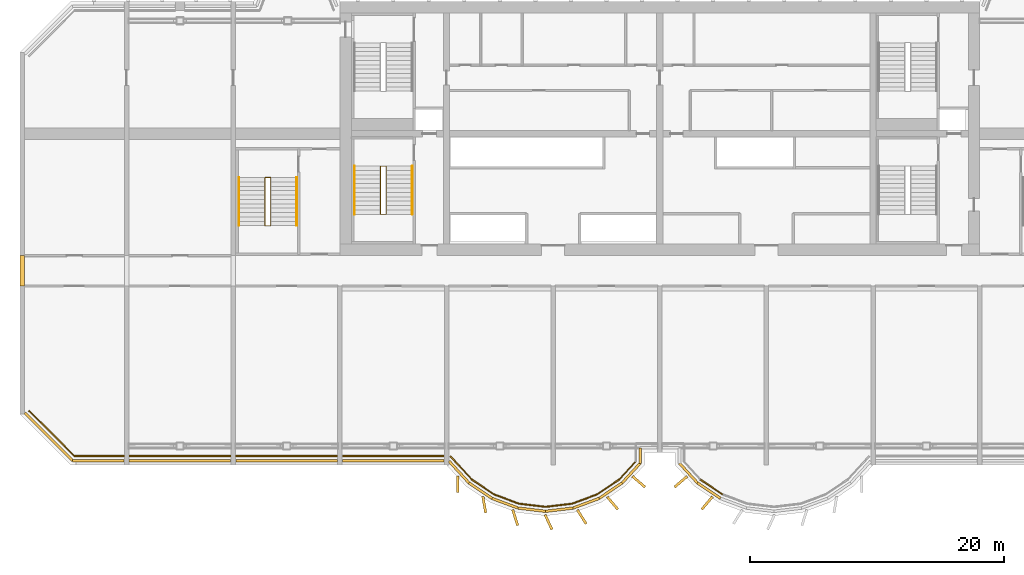
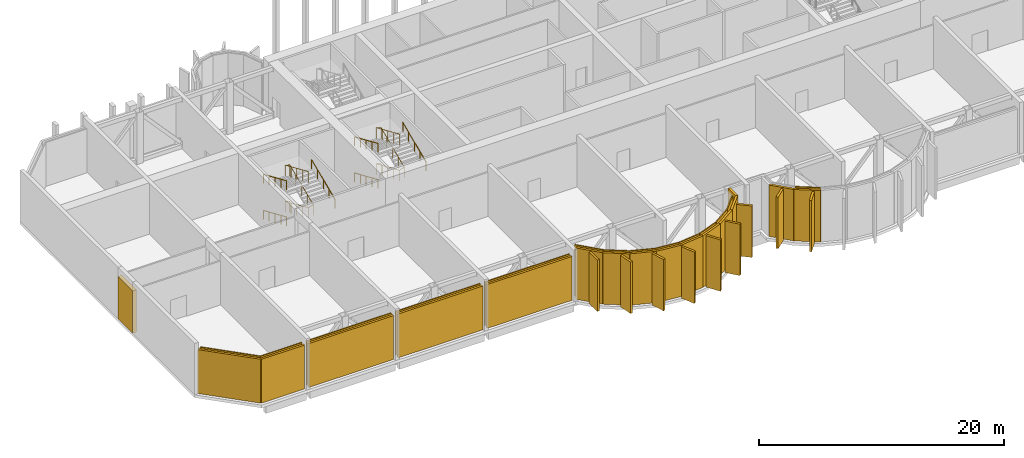
# One storey, part 14 of 17: 23 coverings, 17 shading devices, 8 railings.
"""IFC4 building model written with IfcOpenShell, lengths in metres."""

import ifcopenshell
import ifcopenshell.guid

model = None  # the IFC model being written
_history = None  # IfcOwnerHistory: only IFC2X3 demands one
_inside = {}  # id of a spatial element -> (the spatial element, [elements in it])
_under = {}  # id of a project, library or spatial element -> (it, [spatial elements below it])
_declared = {}  # id of a project -> (the project, [libraries it declares])
_typed = {}  # id of a type object -> (the type object, [elements of that type])
_made_of = {}  # id of a material, layer set ... -> (it, [elements and type objects made of it])


def new_model(schema):
    """Start an empty IFC model of exactly this schema.

    Asked for "IFC4X3", IfcOpenShell would pick the latest addendum, in which some entities
    have other attributes; the version numbers below select the first issue.
    IFC2X3 requires an IfcOwnerHistory on every rooted entity: one is made here for all.
    """
    global model, _history
    if schema == "IFC4X3":
        model = ifcopenshell.file(schema_version=(4, 3, 0, 0))
    else:
        model = ifcopenshell.file(schema=schema)
    _inside.clear()
    _under.clear()
    _declared.clear()
    _typed.clear()
    _made_of.clear()
    _history = None
    if model.schema == "IFC2X3":
        org = make("IfcOrganization", Name="unknown")
        user = make(
            "IfcPersonAndOrganization",
            ThePerson=make("IfcPerson", FamilyName="unknown"),
            TheOrganization=org,
        )
        app = make(
            "IfcApplication",
            ApplicationDeveloper=org,
            Version="unknown",
            ApplicationFullName="unknown",
            ApplicationIdentifier="unknown",
        )
        _history = make(
            "IfcOwnerHistory",
            OwningUser=user,
            OwningApplication=app,
            ChangeAction="ADDED",
            CreationDate=0,
        )
    return model


def make(cls, **values):
    """One entity of the class cls with the attributes given. An attribute that is None is left unset."""
    return model.create_entity(
        cls, **{name: value for name, value in values.items() if value is not None}
    )


def rooted(cls, **values):
    """An entity with a GlobalId (a new one), such as an element, a storey or a relation."""
    return make(cls, GlobalId=ifcopenshell.guid.new(), OwnerHistory=_history, **values)


def si_unit(unit_type, name, prefix=None):
    """IfcSIUnit, for example si_unit("LENGTHUNIT", "METRE", prefix="MILLI")."""
    return make("IfcSIUnit", UnitType=unit_type, Prefix=prefix, Name=name)


def assignment(units):
    """IfcUnitAssignment: the units of a project."""
    return None if units is None else make("IfcUnitAssignment", Units=units)


def point(xyz):
    """IfcCartesianPoint."""
    return None if xyz is None else make("IfcCartesianPoint", Coordinates=xyz)


def direction(xyz):
    """IfcDirection."""
    return None if xyz is None else make("IfcDirection", DirectionRatios=xyz)


def frame(location, z_axis=None, x_axis=None):
    """IfcAxis2Placement3D, a coordinate frame: its origin and axes. An axis left out is left unset."""
    return make(
        "IfcAxis2Placement3D",
        Location=point(location),
        Axis=direction(z_axis),
        RefDirection=direction(x_axis),
    )


def frame_2d(location, x_axis=None):
    """IfcAxis2Placement2D, a coordinate frame in the plane: its origin and x axis."""
    return make(
        "IfcAxis2Placement2D", Location=point(location), RefDirection=direction(x_axis)
    )


def origin():
    """The frame at (0, 0, 0) with its axes left unset."""
    return frame((0.0, 0.0, 0.0))


def origin_2d():
    """The frame at (0, 0) in the plane with its x axis left unset."""
    return frame_2d((0.0, 0.0))


def place(relative_to, where):
    """IfcLocalPlacement: puts the frame where relative to a parent placement (None: the world)."""
    return make(
        "IfcLocalPlacement", PlacementRelTo=relative_to, RelativePlacement=where
    )


def context(
    kind, dimensions, precision=None, world=None, true_north=None, identifier=None
):
    """IfcGeometricRepresentationContext, for example the 3D "Model" context."""
    return make(
        "IfcGeometricRepresentationContext",
        ContextIdentifier=identifier,
        ContextType=kind,
        CoordinateSpaceDimension=dimensions,
        Precision=precision,
        WorldCoordinateSystem=world,
        TrueNorth=true_north,
    )


def subcontext(parent, identifier, kind, view, scale=None):
    """IfcGeometricRepresentationSubContext, for example "Body" below "Model"."""
    return make(
        "IfcGeometricRepresentationSubContext",
        ContextIdentifier=identifier,
        ContextType=kind,
        ParentContext=parent,
        TargetScale=scale,
        TargetView=view,
    )


def project(units=None, contexts=None):
    """IfcProject with its units and contexts."""
    return rooted(
        "IfcProject",
        Name="project",
        RepresentationContexts=contexts,
        UnitsInContext=assignment(units),
    )


def spatial(cls, under=None, at=None, **own):
    """A site, building, storey or space (cls), placed at a placement, below another one or the project."""
    s = rooted(cls, ObjectPlacement=at, **own)
    if under is not None:
        _under.setdefault(under.id(), (under, []))[1].append(s)
    return s


def profile(cls, at=None, kind="AREA", **sizes):
    """A parametric profile (cls). Its sizes go by their IFC names, for example OverallWidth=200.0."""
    return make(cls, ProfileType=kind, Position=at, **sizes)


def rectangle(**sizes):
    """IfcRectangleProfileDef."""
    return profile("IfcRectangleProfileDef", **sizes)


def circle(**sizes):
    """IfcCircleProfileDef."""
    return profile("IfcCircleProfileDef", **sizes)


def extrude(swept, where, along, depth):
    """IfcExtrudedAreaSolid: the profile swept, set in the frame where, extruded along a direction by depth."""
    return make(
        "IfcExtrudedAreaSolid",
        SweptArea=swept,
        Position=where,
        ExtrudedDirection=direction(along),
        Depth=depth,
    )


def shape(context_of_items, identifier, shape_type, items):
    """IfcShapeRepresentation: the items that make up one representation, for example the "Body"."""
    return make(
        "IfcShapeRepresentation",
        ContextOfItems=context_of_items,
        RepresentationIdentifier=identifier,
        RepresentationType=shape_type,
        Items=items,
    )


def source(mapping_origin, context_of_items, identifier, shape_type, items):
    """IfcRepresentationMap: a shape defined once, which mapped items show again and again."""
    return make(
        "IfcRepresentationMap",
        MappingOrigin=mapping_origin,
        MappedRepresentation=shape(context_of_items, identifier, shape_type, items),
    )


def transform(
    local_origin,
    x_axis=None,
    y_axis=None,
    z_axis=None,
    scale=None,
    scale2=None,
    scale3=None,
    uniform=True,
):
    """IfcCartesianTransformationOperator3D, or its non-uniform kind. x_axis, y_axis, z_axis: its Axis1, 2, 3."""
    if uniform:
        return make(
            "IfcCartesianTransformationOperator3D",
            Axis1=direction(x_axis),
            Axis2=direction(y_axis),
            LocalOrigin=point(local_origin),
            Scale=scale,
            Axis3=direction(z_axis),
        )
    return make(
        "IfcCartesianTransformationOperator3DnonUniform",
        Axis1=direction(x_axis),
        Axis2=direction(y_axis),
        LocalOrigin=point(local_origin),
        Scale=scale,
        Axis3=direction(z_axis),
        Scale2=scale2,
        Scale3=scale3,
    )


def mapped(mapping_source, mapping_target):
    """IfcMappedItem: shows the shape of a source again, moved by a transform."""
    return make(
        "IfcMappedItem", MappingSource=mapping_source, MappingTarget=mapping_target
    )


def material(Name=None, Category=None):
    """IfcMaterial."""
    return make("IfcMaterial", Name=Name, Category=Category)


def layer(
    of_material, thickness, ventilated=None, Name=None, Category=None, Priority=None
):
    """IfcMaterialLayer: one layer of a wall or slab, of a material (None: an air gap)."""
    return make(
        "IfcMaterialLayer",
        Material=of_material,
        LayerThickness=thickness,
        IsVentilated=ventilated,
        Name=Name,
        Category=Category,
        Priority=Priority,
    )


def layer_set(layers, Name=None):
    """IfcMaterialLayerSet."""
    return make("IfcMaterialLayerSet", MaterialLayers=layers, LayerSetName=Name)


def material_profile(
    of_material, cross_section, Name=None, Category=None, Priority=None
):
    """IfcMaterialProfile: a cross section and its material."""
    return make(
        "IfcMaterialProfile",
        Name=Name,
        Material=of_material,
        Profile=cross_section,
        Priority=Priority,
        Category=Category,
    )


def profile_set(profiles, Name=None, composite=None):
    """IfcMaterialProfileSet."""
    return make(
        "IfcMaterialProfileSet",
        Name=Name,
        MaterialProfiles=profiles,
        CompositeProfile=composite,
    )


def made_of(thing, what):
    """Note that an element or type object is made of a material, layer set ...; save() writes the relation."""
    if what is not None:
        _made_of.setdefault(what.id(), (what, []))[1].append(thing)
    return thing


def type_object(cls, material=None, **own):
    """A type object (cls), such as IfcWallType, which elements share."""
    return made_of(rooted(cls, **own), material)


def element(
    cls,
    number,
    at=None,
    inside=None,
    cuts=None,
    type_object=None,
    material=None,
    context=None,
    identifier="Body",
    shape_type=None,
    held_by="IfcProductDefinitionShape",
    body=None,
    shapes=None,
    **own,
):
    """One element of the class cls, such as IfcWall. Its Tag is "e" and its number.

    at: its placement. inside: the storey or other place that contains it. cuts: it is an
    opening in that element (IfcRelVoidsElement). A single representation is given by context,
    identifier, shape_type and body (its items); several are given by shapes. held_by: the class
    of the entity that holds the representations. save() writes the other relations.
    """
    e = rooted(cls, Tag="e%d" % number, ObjectPlacement=at, **own)
    if body is not None:
        shapes = [shape(context, identifier, shape_type, body)]
    if shapes is not None:
        e.Representation = make(held_by, Representations=shapes)
    if inside is not None:
        _inside.setdefault(inside.id(), (inside, []))[1].append(e)
    if cuts is not None:
        rooted(
            "IfcRelVoidsElement", RelatingBuildingElement=cuts, RelatedOpeningElement=e
        )
    if type_object is not None:
        _typed.setdefault(type_object.id(), (type_object, []))[1].append(e)
    return made_of(e, material)


def aggregate(whole, parts):
    """IfcRelAggregates: a whole, such as a stair, and the parts it consists of."""
    return rooted("IfcRelAggregates", RelatingObject=whole, RelatedObjects=parts)


def save(model, path):
    """Write the relations noted so far, then the file.

    IfcRelAggregates (storeys below a building ...), IfcRelContainedInSpatialStructure (elements
    in a storey), IfcRelDefinesByType, IfcRelAssociatesMaterial and IfcRelDeclares: one each for
    every whole, place, type object, material and project.
    """
    for whole, parts in _under.values():
        aggregate(whole, parts)
    for where, things in _inside.values():
        rooted(
            "IfcRelContainedInSpatialStructure",
            RelatedElements=things,
            RelatingStructure=where,
        )
    for kind, things in _typed.values():
        rooted("IfcRelDefinesByType", RelatedObjects=things, RelatingType=kind)
    for what, things in _made_of.values():
        rooted("IfcRelAssociatesMaterial", RelatedObjects=things, RelatingMaterial=what)
    for by, libraries in _declared.values():
        rooted("IfcRelDeclares", RelatingContext=by, RelatedDefinitions=libraries)
    model.write(path)


model = new_model("IFC4")

# Units and contexts
model_context = context("Model", 3, precision=1e-05, world=origin(), true_north=direction((0.0, 1.0)))
body_context = subcontext(model_context, "Body", "Model", "MODEL_VIEW")
ifc_project = project(units=[si_unit("LENGTHUNIT", "METRE"), si_unit("AREAUNIT", "SQUARE_METRE"), si_unit("VOLUMEUNIT", "CUBIC_METRE"), si_unit("PLANEANGLEUNIT", "RADIAN"), si_unit("MASSUNIT", "GRAM", prefix="KILO")], contexts=[model_context])

# Site, building, storey
site_placement = place(None, origin())
site = spatial("IfcSite", under=ifc_project, at=site_placement, CompositionType="ELEMENT")
building_placement = place(site_placement, origin())
building = spatial("IfcBuilding", under=site, at=building_placement, Name="Vanashikhar Sky Hotel", CompositionType="ELEMENT")
storey_placement = place(building_placement, frame((0.0, 0.0, 140.800048828125)))
storey = spatial("IfcBuildingStorey", under=building, at=storey_placement, Name="L34", CompositionType="ELEMENT", Elevation=140.800048828125)

# Shading devices
ifc_material_1 = material(Name="Aluminium", Category="aluminium")
ifc_layer_1 = layer(ifc_material_1, 0.199951171875)
ifc_layer_set_1 = layer_set([ifc_layer_1], Name="Aluminium louvre band")
shading_device_type = type_object("IfcShadingDeviceType", Name="Aluminium louvre band", PredefinedType="USERDEFINED", material=ifc_layer_set_1)
shared_shape_1 = source(origin(), body_context, "Body", "SweptSolid", [
    extrude(rectangle(XDim=2.1875, YDim=0.199951171875, at=origin_2d()), origin(), (0.0, 0.0, 1.0), 5.1201171875),
])
for number, where, z_axis, x_axis, name in (
    (1, (36.2705078125, 3.482421875, 0.0), (0.0, 0.0, 1.0), (0.829583722896, -0.558382348132, 0.0), "Louvre band"),
    (2, (38.203125, 2.4912109375, 0.0), (0.0, 0.0, 1.0), (0.937537254303, -0.347884890149, 0.0), "Louvre band"),
    (3, (44.5966796875, 2.4912109375, 0.0), (0.0, 0.0, 1.0), (0.937537254303, 0.347884890149, 0.0), "Louvre band"),
    (4, (46.529541015625, 3.482421875, 0.0), (0.0, 0.0, 1.0), (0.829583722896, 0.558382348132, 0.0), "Louvre band"),
    (5, (54.2705078125, 3.482421875, 0.0), (0.0, 0.0, 1.0), (0.829583722896, -0.558382348132, 0.0), "Louvre band"),
):
    element("IfcShadingDevice", number, at=place(storey_placement, frame(where, z_axis=z_axis, x_axis=x_axis)), inside=storey, type_object=shading_device_type, Name=name, ObjectType="LOUVRE", PredefinedType="USERDEFINED", context=body_context, shape_type="MappedRepresentation", body=[
        mapped(shared_shape_1, transform((0.0, 0.0, 0.0), scale=1.0)),
    ])
shared_shape_2 = source(origin(), body_context, "Body", "SweptSolid", [
    extrude(rectangle(XDim=2.1865234375, YDim=0.199951171875, at=origin_2d()), origin(), (0.0, 0.0, 1.0), 5.1201171875),
])
for number, where, z_axis, x_axis, name in (
    (6, (40.314453125, 1.9814453125, 0.0), (0.0, 0.0, 1.0), (0.993008838731, -0.118040019495, 0.0), "Louvre band"),
    (7, (42.485595703125, 1.9814453125, 0.0), (0.0, 0.0, 1.0), (0.993008838731, 0.118040019495, 0.0), "Louvre band"),
):
    element("IfcShadingDevice", number, at=place(storey_placement, frame(where, z_axis=z_axis, x_axis=x_axis)), inside=storey, type_object=shading_device_type, Name=name, ObjectType="LOUVRE", PredefinedType="USERDEFINED", context=body_context, shape_type="MappedRepresentation", body=[
        mapped(shared_shape_2, transform((0.0, 0.0, 0.0), scale=1.0)),
    ])
shared_shape_3 = source(origin(), body_context, "Body", "SweptSolid", [
    extrude(rectangle(XDim=2.09228515625, YDim=0.199951171875, at=origin_2d()), origin(), (0.0, 0.0, 1.0), 5.1201171875),
])
for number, where, z_axis, x_axis, name in (
    (8, (48.1435546875, 4.864501953125, 0.0), (0.0, 0.0, 1.0), (0.675384294604, 0.737465968437, 0.0), "Louvre band"),
    (9, (52.656494140625, 4.864501953125, 0.0), (0.0, 0.0, 1.0), (0.675384294604, -0.737465968437, 0.0), "Louvre band"),
):
    element("IfcShadingDevice", number, at=place(storey_placement, frame(where, z_axis=z_axis, x_axis=x_axis)), inside=storey, type_object=shading_device_type, Name=name, ObjectType="LOUVRE", PredefinedType="USERDEFINED", context=body_context, shape_type="MappedRepresentation", body=[
        mapped(shared_shape_3, transform((0.0, 0.0, 0.0), scale=1.0)),
    ])
shared_shape_4 = source(origin(), body_context, "Body", "SweptSolid", [
    extrude(rectangle(XDim=1.214111328125, YDim=0.199951171875, at=origin_2d()), origin(), (0.0, 0.0, 1.0), 5.1201171875),
])
shading_device_1_placement = place(storey_placement, frame((48.85009765625, 6.242919921875, 0.0), z_axis=(0.0, 0.0, 1.0), x_axis=(0.0, 1.0, 0.0)))
element("IfcShadingDevice", 10, at=shading_device_1_placement, inside=storey, type_object=shading_device_type, Name="Louvre band", ObjectType="LOUVRE", PredefinedType="USERDEFINED", context=body_context, shape_type="MappedRepresentation", body=[
    mapped(shared_shape_4, transform((0.0, 0.0, 0.0), scale=1.0)),
])

# Coverings
ifc_material_2 = material(Name="Concrete M40", Category="concrete")
ifc_layer_2 = layer(ifc_material_2, 0.10009765625)
ifc_layer_set_2 = layer_set([ifc_layer_2], Name="Plant floor cladding panel")
covering_type_1 = type_object("IfcCoveringType", Name="Plant floor cladding panel", PredefinedType="CLADDING", material=ifc_layer_set_2)
shared_shape_5 = source(origin(), body_context, "Body", "SweptSolid", [
    extrude(rectangle(XDim=2.49462890625, YDim=0.10009765625, at=origin_2d()), origin(), (0.0, 0.0, 1.0), 5.1201171875),
])
covering_1_placement = place(storey_placement, frame((34.75048828125, 5.280029296875, 0.0), z_axis=(0.0, 0.0, 1.0), x_axis=(0.675384294604, -0.737465968437, 0.0)))
element("IfcCovering", 11, at=covering_1_placement, inside=storey, type_object=covering_type_1, Name="Plant floor cladding panel", PredefinedType="CLADDING", context=body_context, shape_type="MappedRepresentation", body=[
    mapped(shared_shape_5, transform((0.0, 0.0, 0.0), scale=1.0)),
])
shared_shape_6 = source(origin(), body_context, "Body", "SweptSolid", [
    extrude(rectangle(XDim=2.104248046875, YDim=0.10009765625, at=origin_2d()), origin(), (0.0, 0.0, 1.0), 5.1201171875),
])
for number, where, z_axis, x_axis, name in (
    (12, (36.4658203125, 3.772705078125, 0.0), (0.0, 0.0, 1.0), (0.829603213612, -0.558353389857, 0.0), "Plant floor cladding panel"),
    (13, (46.334228515625, 3.772705078125, 0.0), (0.0, 0.0, 1.0), (0.829603213612, 0.558353389857, 0.0), "Plant floor cladding panel"),
    (14, (54.4658203125, 3.772705078125, 0.0), (0.0, 0.0, 1.0), (0.829603213612, -0.558353389857, 0.0), "Plant floor cladding panel"),
):
    element("IfcCovering", number, at=place(storey_placement, frame(where, z_axis=z_axis, x_axis=x_axis)), inside=storey, type_object=covering_type_1, Name=name, PredefinedType="CLADDING", context=body_context, shape_type="MappedRepresentation", body=[
        mapped(shared_shape_6, transform((0.0, 0.0, 0.0), scale=1.0)),
    ])
shared_shape_7 = source(origin(), body_context, "Body", "SweptSolid", [
    extrude(rectangle(XDim=2.10400390625, YDim=0.10009765625, at=origin_2d()), origin(), (0.0, 0.0, 1.0), 5.1201171875),
])
for number, where, z_axis, x_axis, name in (
    (15, (38.3251953125, 2.8193359375, 0.0), (0.0, 0.0, 1.0), (0.937537254303, -0.347884890149, 0.0), "Plant floor cladding panel"),
    (16, (44.474853515625, 2.8193359375, 0.0), (0.0, 0.0, 1.0), (0.937537254303, 0.347884890149, 0.0), "Plant floor cladding panel"),
):
    element("IfcCovering", number, at=place(storey_placement, frame(where, z_axis=z_axis, x_axis=x_axis)), inside=storey, type_object=covering_type_1, Name=name, PredefinedType="CLADDING", context=body_context, shape_type="MappedRepresentation", body=[
        mapped(shared_shape_7, transform((0.0, 0.0, 0.0), scale=1.0)),
    ])
shared_shape_8 = source(origin(), body_context, "Body", "SweptSolid", [
    extrude(rectangle(XDim=2.103271484375, YDim=0.10009765625, at=origin_2d()), origin(), (0.0, 0.0, 1.0), 5.1201171875),
])
for number, where, z_axis, x_axis, name in (
    (17, (40.355712890625, 2.3291015625, 0.0), (0.0, 0.0, 1.0), (0.993002656809, -0.118092013154, 0.0), "Plant floor cladding panel"),
    (18, (42.4443359375, 2.3291015625, 0.0), (0.0, 0.0, 1.0), (0.993002656809, 0.118092013154, 0.0), "Plant floor cladding panel"),
):
    element("IfcCovering", number, at=place(storey_placement, frame(where, z_axis=z_axis, x_axis=x_axis)), inside=storey, type_object=covering_type_1, Name=name, PredefinedType="CLADDING", context=body_context, shape_type="MappedRepresentation", body=[
        mapped(shared_shape_8, transform((0.0, 0.0, 0.0), scale=1.0)),
    ])
shared_shape_9 = source(origin(), body_context, "Body", "SweptSolid", [
    extrude(rectangle(XDim=1.91455078125, YDim=0.10009765625, at=origin_2d()), origin(), (0.0, 0.0, 1.0), 5.1201171875),
])
covering_2_placement = place(storey_placement, frame((47.853515625, 5.066162109375, 0.0), z_axis=(0.0, 0.0, 1.0), x_axis=(0.675371423292, 0.737477756004, 0.0)))
element("IfcCovering", 19, at=covering_2_placement, inside=storey, type_object=covering_type_1, Name="Plant floor cladding panel", PredefinedType="CLADDING", context=body_context, shape_type="MappedRepresentation", body=[
    mapped(shared_shape_9, transform((0.0, 0.0, 0.0), scale=1.0)),
])
shared_shape_10 = source(origin(), body_context, "Body", "SweptSolid", [
    extrude(rectangle(XDim=5.076904296875, YDim=0.10009765625, at=origin_2d()), origin(), (0.0, 0.0, 1.0), 4.3701171875),
])
covering_3_placement = place(storey_placement, frame((2.4951171875, 7.994873046875, 0.0), z_axis=(0.0, 0.0, 1.0), x_axis=(0.707106781187, -0.707106781187, 0.0)))
element("IfcCovering", 20, at=covering_3_placement, inside=storey, type_object=covering_type_1, Name="Plant floor cladding panel", PredefinedType="CLADDING", context=body_context, shape_type="MappedRepresentation", body=[
    mapped(shared_shape_10, transform((0.0, 0.0, 0.0), scale=1.0)),
])

# Shading devices
shared_shape_11 = source(origin(), body_context, "Body", "SweptSolid", [
    extrude(rectangle(XDim=4.050048828125, YDim=0.199951171875, at=origin_2d()), origin(), (0.0, 0.0, 1.0), 4.3701171875),
])
shading_device_2_placement = place(storey_placement, frame((6.169921875, 5.85009765625, 0.0), z_axis=(0.0, 0.0, 1.0), x_axis=(1.0, 0.0, 0.0)))
element("IfcShadingDevice", 21, at=shading_device_2_placement, inside=storey, type_object=shading_device_type, Name="Louvre band", ObjectType="LOUVRE", PredefinedType="USERDEFINED", context=body_context, shape_type="MappedRepresentation", body=[
    mapped(shared_shape_11, transform((0.0, 0.0, 0.0), scale=1.0)),
])
shared_shape_12 = source(origin(), body_context, "Body", "SweptSolid", [
    extrude(rectangle(XDim=7.989990234375, YDim=0.199951171875, at=origin_2d()), origin(), (0.0, 0.0, 1.0), 4.3701171875),
])
for number, where, z_axis, x_axis, name in (
    (22, (12.60009765625, 5.85009765625, 0.0), (0.0, 0.0, 1.0), (1.0, 0.0, 0.0), "Louvre band"),
    (23, (21.0, 5.85009765625, 0.0), (0.0, 0.0, 1.0), (1.0, 0.0, 0.0), "Louvre band"),
    (24, (29.39990234375, 5.85009765625, 0.0), (0.0, 0.0, 1.0), (1.0, 0.0, 0.0), "Louvre band"),
):
    element("IfcShadingDevice", number, at=place(storey_placement, frame(where, z_axis=z_axis, x_axis=x_axis)), inside=storey, type_object=shading_device_type, Name=name, ObjectType="LOUVRE", PredefinedType="USERDEFINED", context=body_context, shape_type="MappedRepresentation", body=[
        mapped(shared_shape_12, transform((0.0, 0.0, 0.0), scale=1.0)),
    ])
shared_shape_13 = source(origin(), body_context, "Body", "SweptSolid", [
    extrude(rectangle(XDim=2.306884765625, YDim=0.199951171875, at=origin_2d()), origin(), (0.0, 0.0, 1.0), 5.1201171875),
])
shading_device_3_placement = place(storey_placement, frame((34.583984375, 4.94384765625, 0.0), z_axis=(0.0, 0.0, 1.0), x_axis=(0.675358551774, -0.737489543347, 0.0)))
element("IfcShadingDevice", 25, at=shading_device_3_placement, inside=storey, type_object=shading_device_type, Name="Louvre band", ObjectType="LOUVRE", PredefinedType="USERDEFINED", context=body_context, shape_type="MappedRepresentation", body=[
    mapped(shared_shape_13, transform((0.0, 0.0, 0.0), scale=1.0)),
])
shared_shape_14 = source(origin(), body_context, "Body", "SweptSolid", [
    extrude(rectangle(XDim=5.324462890625, YDim=0.199951171875, at=origin_2d()), origin(), (0.0, 0.0, 1.0), 4.3701171875),
])
shading_device_4_placement = place(storey_placement, frame((2.262451171875, 7.732421875, 0.0), z_axis=(0.0, 0.0, 1.0), x_axis=(0.707106781187, -0.707106781187, 0.0)))
element("IfcShadingDevice", 26, at=shading_device_4_placement, inside=storey, type_object=shading_device_type, Name="Louvre band", ObjectType="LOUVRE", PredefinedType="USERDEFINED", context=body_context, shape_type="MappedRepresentation", body=[
    mapped(shared_shape_14, transform((0.0, 0.0, 0.0), scale=1.0)),
])

# Coverings
shared_shape_15 = source(origin(), body_context, "Body", "SweptSolid", [
    extrude(rectangle(XDim=3.905029296875, YDim=0.10009765625, at=origin_2d()), origin(), (0.0, 0.0, 1.0), 4.3701171875),
])
covering_4_placement = place(storey_placement, frame((6.242431640625, 6.199951171875, 0.0), z_axis=(0.0, 0.0, 1.0), x_axis=(1.0, 0.0, 0.0)))
element("IfcCovering", 27, at=covering_4_placement, inside=storey, type_object=covering_type_1, Name="Plant floor cladding panel", PredefinedType="CLADDING", context=body_context, shape_type="MappedRepresentation", body=[
    mapped(shared_shape_15, transform((0.0, 0.0, 0.0), scale=1.0)),
])
shared_shape_16 = source(origin(), body_context, "Body", "SweptSolid", [
    extrude(rectangle(XDim=7.989990234375, YDim=0.10009765625, at=origin_2d()), origin(), (0.0, 0.0, 1.0), 4.3701171875),
])
for number, where, z_axis, x_axis, name in (
    (28, (12.60009765625, 6.199951171875, 0.0), (0.0, 0.0, 1.0), (1.0, 0.0, 0.0), "Plant floor cladding panel"),
    (29, (21.0, 6.199951171875, 0.0), (0.0, 0.0, 1.0), (1.0, 0.0, 0.0), "Plant floor cladding panel"),
    (30, (29.39990234375, 6.199951171875, 0.0), (0.0, 0.0, 1.0), (1.0, 0.0, 0.0), "Plant floor cladding panel"),
):
    element("IfcCovering", number, at=place(storey_placement, frame(where, z_axis=z_axis, x_axis=x_axis)), inside=storey, type_object=covering_type_1, Name=name, PredefinedType="CLADDING", context=body_context, shape_type="MappedRepresentation", body=[
        mapped(shared_shape_16, transform((0.0, 0.0, 0.0), scale=1.0)),
    ])

# Shading device
shared_shape_17 = source(origin(), body_context, "Body", "SweptSolid", [
    extrude(rectangle(XDim=0.35009765625, YDim=2.39990234375, at=origin_2d()), origin(), (0.0, 0.0, 1.0), 4.219970703125),
])
shading_device_5_placement = place(storey_placement, frame((0.175048828125, 20.800048828125, 0.0), z_axis=(0.0, 0.0, 1.0), x_axis=(1.0, 0.0, 0.0)))
element("IfcShadingDevice", 31, at=shading_device_5_placement, inside=storey, type_object=shading_device_type, Name="Louvre band", ObjectType="LOUVRE", PredefinedType="USERDEFINED", context=body_context, shape_type="MappedRepresentation", body=[
    mapped(shared_shape_17, transform((0.0, 0.0, 0.0), scale=1.0)),
])

# Coverings
ifc_material_3 = material(Name="Concrete M60 dark", Category="concrete")
ifc_material_profile = material_profile(ifc_material_3, rectangle(XDim=1.300048828125, YDim=0.199951171875, at=origin_2d()))
ifc_profile_set = profile_set([ifc_material_profile], Name="Fin 1300 x 200")
covering_type_2 = type_object("IfcCoveringType", Name="Fin 1300 x 200", PredefinedType="CLADDING", material=ifc_profile_set)
shared_shape_18 = source(origin(), body_context, "Body", "SweptSolid", [
    extrude(rectangle(XDim=1.300048828125, YDim=0.199951171875, at=origin_2d()), origin(), (0.0, 0.0, 1.0), 5.119873046875),
])
for number, where, z_axis, x_axis, name in (
    (32, (34.482421875, 3.992919921875, 0.0), (0.0, 0.0, 1.0), (0.011588726826, -0.999932848451, 0.0), "Fin F1-1"),
    (33, (36.572509765625, 2.3779296875, 0.0), (0.0, 0.0, 1.0), (0.16989991575, -0.985461322746, 0.0), "Fin F1-2"),
    (34, (39.00830078125, 1.35693359375, 0.0), (0.0, 0.0, 1.0), (0.303966551867, -0.952682704444, 0.0), "Fin F1-3"),
    (35, (41.63232421875, 1.00146484375, 0.0), (0.0, 0.0, 1.0), (0.422618261741, -0.906307787037, 0.0), "Fin F1-4"),
    (36, (44.251953125, 1.416015625, 0.0), (0.0, 0.0, 1.0), (0.534411358496, -0.845224526331, 0.0), "Fin F1-5"),
    (37, (46.676025390625, 2.5, 0.0), (0.0, 0.0, 1.0), (0.645697609467, -0.763593214433, 0.0), "Fin F1-6"),
    (38, (48.7412109375, 4.1845703125, 0.0), (0.0, 0.0, 1.0), (0.758543912032, -0.65162192529, 0.0), "Fin F1-7"),
    (39, (52.058837890625, 4.1845703125, 0.0), (0.0, 0.0, 1.0), (-0.758543912032, -0.65162192529, 0.0), "Fin F2-1"),
    (40, (54.123779296875, 2.5, 0.0), (0.0, 0.0, 1.0), (-0.645697609467, -0.763593214433, 0.0), "Fin F2-2"),
):
    element("IfcCovering", number, at=place(storey_placement, frame(where, z_axis=z_axis, x_axis=x_axis)), inside=storey, type_object=covering_type_2, Name=name, PredefinedType="CLADDING", context=body_context, shape_type="MappedRepresentation", body=[
        mapped(shared_shape_18, transform((0.0, 0.0, 0.0), scale=1.0)),
    ])

# Railings
ifc_material_4 = material(Name="Steel S355", Category="steel")
railing_type_1 = type_object("IfcRailingType", Name="Stair handrail 900", PredefinedType="HANDRAIL", material=ifc_material_4)
shared_shape_19 = source(origin(), body_context, "Body", "SweptSolid", [
    extrude(circle(Radius=0.02392578125, at=origin_2d()), frame((0.0, 0.0, 0.8759765625), z_axis=(0.0, -0.917250781605, 0.398310185215), x_axis=(1.0, 0.0, 0.0)), (0.0, 0.0, 1.0), 4.142822265625),
    extrude(circle(Radius=0.02099609375, at=origin_2d()), origin(), (0.0, 0.0, 1.0), 0.851806640625),
    extrude(circle(Radius=0.02099609375, at=origin_2d()), frame((0.0, -0.949951171875, 0.41259765625)), (0.0, 0.0, 1.0), 0.851806640625),
    extrude(circle(Radius=0.02099609375, at=origin_2d()), frame((0.0, -1.89990234375, 0.8251953125)), (0.0, 0.0, 1.0), 0.851806640625),
    extrude(circle(Radius=0.02099609375, at=origin_2d()), frame((0.0, -2.85009765625, 1.237548828125)), (0.0, 0.0, 1.0), 0.851806640625),
    extrude(circle(Radius=0.02099609375, at=origin_2d()), frame((0.0, -3.800048828125, 1.650146484375)), (0.0, 0.0, 1.0), 0.851806640625),
])
railing_1_placement = place(storey_placement, frame((26.35009765625, 29.050048828125, 0.14990234375)))
element("IfcRailing", 41, at=railing_1_placement, inside=storey, type_object=railing_type_1, Name="Exit stair 1 handrail", PredefinedType="HANDRAIL", context=body_context, shape_type="MappedRepresentation", body=[
    mapped(shared_shape_19, transform((0.0, 0.0, 0.0), scale=1.0)),
])
shared_shape_20 = source(origin(), body_context, "Body", "SweptSolid", [
    extrude(circle(Radius=0.02392578125, at=origin_2d()), frame((0.0, 0.0, 0.8759765625), z_axis=(0.0, -0.91727231099, 0.398260602484), x_axis=(1.0, 0.0, 0.0)), (0.0, 0.0, 1.0), 4.142822265625),
    extrude(circle(Radius=0.02099609375, at=origin_2d()), origin(), (0.0, 0.0, 1.0), 0.851806640625),
    extrude(circle(Radius=0.02099609375, at=origin_2d()), frame((0.0, -0.949951171875, 0.41259765625)), (0.0, 0.0, 1.0), 0.851806640625),
    extrude(circle(Radius=0.02099609375, at=origin_2d()), frame((0.0, -1.89990234375, 0.824951171875)), (0.0, 0.0, 1.0), 0.851806640625),
    extrude(circle(Radius=0.02099609375, at=origin_2d()), frame((0.0, -2.85009765625, 1.2373046875)), (0.0, 0.0, 1.0), 0.851806640625),
    extrude(circle(Radius=0.02099609375, at=origin_2d()), frame((0.0, -3.800048828125, 1.64990234375)), (0.0, 0.0, 1.0), 0.851806640625),
])
railing_2_placement = place(storey_placement, frame((26.35009765625, 29.050048828125, 3.75)))
element("IfcRailing", 42, at=railing_2_placement, inside=storey, type_object=railing_type_1, Name="Exit stair 1 handrail", PredefinedType="HANDRAIL", context=body_context, shape_type="MappedRepresentation", body=[
    mapped(shared_shape_20, transform((0.0, 0.0, 0.0), scale=1.0)),
])
shared_shape_21 = source(origin(), body_context, "Body", "SweptSolid", [
    extrude(circle(Radius=0.02392578125, at=origin_2d()), frame((0.0, 0.0, 0.8759765625), z_axis=(0.0, 0.91727231099, 0.398260602484), x_axis=(-1.0, 0.0, 0.0)), (0.0, 0.0, 1.0), 4.142822265625),
    extrude(circle(Radius=0.02099609375, at=origin_2d()), origin(), (0.0, 0.0, 1.0), 0.851806640625),
    extrude(circle(Radius=0.02099609375, at=origin_2d()), frame((0.0, 0.949951171875, 0.41259765625)), (0.0, 0.0, 1.0), 0.851806640625),
    extrude(circle(Radius=0.02099609375, at=origin_2d()), frame((0.0, 1.89990234375, 0.824951171875)), (0.0, 0.0, 1.0), 0.851806640625),
    extrude(circle(Radius=0.02099609375, at=origin_2d()), frame((0.0, 2.85009765625, 1.2373046875)), (0.0, 0.0, 1.0), 0.851806640625),
    extrude(circle(Radius=0.02099609375, at=origin_2d()), frame((0.0, 3.800048828125, 1.64990234375)), (0.0, 0.0, 1.0), 0.851806640625),
])
railing_3_placement = place(storey_placement, frame((30.89990234375, 25.25, 1.949951171875)))
element("IfcRailing", 43, at=railing_3_placement, inside=storey, type_object=railing_type_1, Name="Exit stair 1 handrail", PredefinedType="HANDRAIL", context=body_context, shape_type="MappedRepresentation", body=[
    mapped(shared_shape_21, transform((0.0, 0.0, 0.0), scale=1.0)),
])
railing_type_2 = type_object("IfcRailingType", Name="Stair guard 1100", PredefinedType="GUARDRAIL", material=ifc_material_4)
shared_shape_22 = source(origin(), body_context, "Body", "SweptSolid", [
    extrude(circle(Radius=0.02392578125, at=origin_2d()), frame((0.0, 0.0, 1.076171875), z_axis=(-0.948786153043, 0.0, 0.315919033605), x_axis=(0.0, -1.0, 0.0)), (0.0, 0.0, 1.0), 0.474609375),
    extrude(circle(Radius=0.02392578125, at=origin_2d()), frame((-0.4501953125, 0.0, 1.22607421875), z_axis=(0.0, -0.917250781605, 0.398310185215), x_axis=(1.0, 0.0, 0.0)), (0.0, 0.0, 1.0), 4.142822265625),
    extrude(circle(Radius=0.02392578125, at=origin_2d()), frame((-0.4501953125, -3.800048828125, 2.8759765625), z_axis=(0.948786153043, 0.0, 0.315919033605), x_axis=(0.0, 1.0, 0.0)), (0.0, 0.0, 1.0), 0.474609375),
    extrude(circle(Radius=0.02392578125, at=origin_2d()), frame((0.0, -3.800048828125, 3.02587890625), z_axis=(0.0, 0.91727231099, 0.398260602484), x_axis=(-1.0, 0.0, 0.0)), (0.0, 0.0, 1.0), 4.142822265625),
    extrude(circle(Radius=0.02392578125, at=origin_2d()), frame((0.0, 0.0, 4.67578125), z_axis=(-0.948631841254, 0.0, 0.316382094561), x_axis=(0.0, -1.0, 0.0)), (0.0, 0.0, 1.0), 0.474609375),
    extrude(circle(Radius=0.02392578125, at=origin_2d()), frame((-0.4501953125, 0.0, 4.826171875), z_axis=(0.0, -0.91727231099, 0.398260602484), x_axis=(1.0, 0.0, 0.0)), (0.0, 0.0, 1.0), 4.142822265625),
    extrude(circle(Radius=0.02099609375, at=origin_2d()), origin(), (0.0, 0.0, 1.0), 1.052001953125),
    extrude(circle(Radius=0.02099609375, at=origin_2d()), frame((-0.4501953125, 0.0, 0.14990234375)), (0.0, 0.0, 1.0), 1.052001953125),
    extrude(circle(Radius=0.02099609375, at=origin_2d()), frame((-0.4501953125, -0.949951171875, 0.5625)), (0.0, 0.0, 1.0), 1.052001953125),
    extrude(circle(Radius=0.02099609375, at=origin_2d()), frame((-0.4501953125, -1.89990234375, 0.97509765625)), (0.0, 0.0, 1.0), 1.052001953125),
    extrude(circle(Radius=0.02099609375, at=origin_2d()), frame((-0.4501953125, -2.85009765625, 1.387451171875)), (0.0, 0.0, 1.0), 1.052001953125),
    extrude(circle(Radius=0.02099609375, at=origin_2d()), frame((-0.4501953125, -3.800048828125, 1.800048828125)), (0.0, 0.0, 1.0), 1.052001953125),
    extrude(circle(Radius=0.02099609375, at=origin_2d()), frame((0.0, -3.800048828125, 1.949951171875)), (0.0, 0.0, 1.0), 1.052001953125),
    extrude(circle(Radius=0.02099609375, at=origin_2d()), frame((0.0, -2.85009765625, 2.3623046875)), (0.0, 0.0, 1.0), 1.052001953125),
    extrude(circle(Radius=0.02099609375, at=origin_2d()), frame((0.0, -1.89990234375, 2.77490234375)), (0.0, 0.0, 1.0), 1.052001953125),
    extrude(circle(Radius=0.02099609375, at=origin_2d()), frame((0.0, -0.949951171875, 3.1875)), (0.0, 0.0, 1.0), 1.052001953125),
    extrude(circle(Radius=0.02099609375, at=origin_2d()), frame((0.0, 0.0, 3.599853515625)), (0.0, 0.0, 1.0), 1.052001953125),
    extrude(circle(Radius=0.02099609375, at=origin_2d()), frame((-0.4501953125, 0.0, 3.75)), (0.0, 0.0, 1.0), 1.052001953125),
    extrude(circle(Radius=0.02099609375, at=origin_2d()), frame((-0.4501953125, -0.949951171875, 4.16259765625)), (0.0, 0.0, 1.0), 1.052001953125),
    extrude(circle(Radius=0.02099609375, at=origin_2d()), frame((-0.4501953125, -1.89990234375, 4.574951171875)), (0.0, 0.0, 1.0), 1.052001953125),
    extrude(circle(Radius=0.02099609375, at=origin_2d()), frame((-0.4501953125, -2.85009765625, 4.9873046875)), (0.0, 0.0, 1.0), 1.052001953125),
    extrude(circle(Radius=0.02099609375, at=origin_2d()), frame((-0.4501953125, -3.800048828125, 5.39990234375)), (0.0, 0.0, 1.0), 1.052001953125),
])
railing_4_placement = place(storey_placement, frame((28.85009765625, 29.050048828125, 0.0)))
element("IfcRailing", 44, at=railing_4_placement, inside=storey, type_object=railing_type_2, Name="Exit stair 1 guard", PredefinedType="GUARDRAIL", context=body_context, shape_type="MappedRepresentation", body=[
    mapped(shared_shape_22, transform((0.0, 0.0, 0.0), scale=1.0)),
])
shared_shape_23 = source(origin(), body_context, "Body", "SweptSolid", [
    extrude(circle(Radius=0.02392578125, at=origin_2d()), frame((0.0, 0.0, 0.8759765625), z_axis=(0.0, -0.917241431489, 0.398331716489), x_axis=(1.0, 0.0, 0.0)), (0.0, 0.0, 1.0), 4.142578125),
    extrude(circle(Radius=0.02099609375, at=origin_2d()), origin(), (0.0, 0.0, 1.0), 0.851806640625),
    extrude(circle(Radius=0.02099609375, at=origin_2d()), frame((0.0, -0.949951171875, 0.41259765625)), (0.0, 0.0, 1.0), 0.851806640625),
    extrude(circle(Radius=0.02099609375, at=origin_2d()), frame((0.0, -1.89990234375, 0.8251953125)), (0.0, 0.0, 1.0), 0.851806640625),
    extrude(circle(Radius=0.02099609375, at=origin_2d()), frame((0.0, -2.849853515625, 1.237548828125)), (0.0, 0.0, 1.0), 0.851806640625),
    extrude(circle(Radius=0.02099609375, at=origin_2d()), frame((0.0, -3.7998046875, 1.650146484375)), (0.0, 0.0, 1.0), 0.851806640625),
])
railing_5_placement = place(storey_placement, frame((17.25, 28.14990234375, 0.14990234375)))
element("IfcRailing", 45, at=railing_5_placement, inside=storey, type_object=railing_type_1, Name="Exit stair 3 handrail", PredefinedType="HANDRAIL", context=body_context, shape_type="MappedRepresentation", body=[
    mapped(shared_shape_23, transform((0.0, 0.0, 0.0), scale=1.0)),
])
shared_shape_24 = source(origin(), body_context, "Body", "SweptSolid", [
    extrude(circle(Radius=0.02392578125, at=origin_2d()), frame((0.0, 0.0, 0.8759765625), z_axis=(0.0, -0.917262962982, 0.398282132089), x_axis=(1.0, 0.0, 0.0)), (0.0, 0.0, 1.0), 4.142578125),
    extrude(circle(Radius=0.02099609375, at=origin_2d()), origin(), (0.0, 0.0, 1.0), 0.851806640625),
    extrude(circle(Radius=0.02099609375, at=origin_2d()), frame((0.0, -0.949951171875, 0.41259765625)), (0.0, 0.0, 1.0), 0.851806640625),
    extrude(circle(Radius=0.02099609375, at=origin_2d()), frame((0.0, -1.89990234375, 0.824951171875)), (0.0, 0.0, 1.0), 0.851806640625),
    extrude(circle(Radius=0.02099609375, at=origin_2d()), frame((0.0, -2.849853515625, 1.2373046875)), (0.0, 0.0, 1.0), 0.851806640625),
    extrude(circle(Radius=0.02099609375, at=origin_2d()), frame((0.0, -3.7998046875, 1.64990234375)), (0.0, 0.0, 1.0), 0.851806640625),
])
railing_6_placement = place(storey_placement, frame((17.25, 28.14990234375, 3.75)))
element("IfcRailing", 46, at=railing_6_placement, inside=storey, type_object=railing_type_1, Name="Exit stair 3 handrail", PredefinedType="HANDRAIL", context=body_context, shape_type="MappedRepresentation", body=[
    mapped(shared_shape_24, transform((0.0, 0.0, 0.0), scale=1.0)),
])
shared_shape_25 = source(origin(), body_context, "Body", "SweptSolid", [
    extrude(circle(Radius=0.02392578125, at=origin_2d()), frame((0.0, 0.0, 0.8759765625), z_axis=(0.0, 0.917262962982, 0.398282132089), x_axis=(-1.0, 0.0, 0.0)), (0.0, 0.0, 1.0), 4.142578125),
    extrude(circle(Radius=0.02099609375, at=origin_2d()), origin(), (0.0, 0.0, 1.0), 0.851806640625),
    extrude(circle(Radius=0.02099609375, at=origin_2d()), frame((0.0, 0.949951171875, 0.41259765625)), (0.0, 0.0, 1.0), 0.851806640625),
    extrude(circle(Radius=0.02099609375, at=origin_2d()), frame((0.0, 1.89990234375, 0.824951171875)), (0.0, 0.0, 1.0), 0.851806640625),
    extrude(circle(Radius=0.02099609375, at=origin_2d()), frame((0.0, 2.849853515625, 1.2373046875)), (0.0, 0.0, 1.0), 0.851806640625),
    extrude(circle(Radius=0.02099609375, at=origin_2d()), frame((0.0, 3.7998046875, 1.64990234375)), (0.0, 0.0, 1.0), 0.851806640625),
])
railing_7_placement = place(storey_placement, frame((21.800048828125, 24.35009765625, 1.949951171875)))
element("IfcRailing", 47, at=railing_7_placement, inside=storey, type_object=railing_type_1, Name="Exit stair 3 handrail", PredefinedType="HANDRAIL", context=body_context, shape_type="MappedRepresentation", body=[
    mapped(shared_shape_25, transform((0.0, 0.0, 0.0), scale=1.0)),
])
shared_shape_26 = source(origin(), body_context, "Body", "SweptSolid", [
    extrude(circle(Radius=0.02392578125, at=origin_2d()), frame((0.0, 0.0, 1.076171875), z_axis=(-0.948734763221, 0.0, 0.316073328604), x_axis=(0.0, -1.0, 0.0)), (0.0, 0.0, 1.0), 0.474365234375),
    extrude(circle(Radius=0.02392578125, at=origin_2d()), frame((-0.449951171875, 0.0, 1.22607421875), z_axis=(0.0, -0.917241431489, 0.398331716489), x_axis=(1.0, 0.0, 0.0)), (0.0, 0.0, 1.0), 4.142578125),
    extrude(circle(Radius=0.02392578125, at=origin_2d()), frame((-0.449951171875, -3.7998046875, 2.8759765625), z_axis=(0.948734763221, 0.0, 0.316073328604), x_axis=(0.0, 1.0, 0.0)), (0.0, 0.0, 1.0), 0.474365234375),
    extrude(circle(Radius=0.02392578125, at=origin_2d()), frame((0.0, -3.7998046875, 3.02587890625), z_axis=(0.0, 0.917262962982, 0.398282132089), x_axis=(-1.0, 0.0, 0.0)), (0.0, 0.0, 1.0), 4.142578125),
    extrude(circle(Radius=0.02392578125, at=origin_2d()), frame((0.0, 0.0, 4.67578125), z_axis=(-0.948580309067, 0.0, 0.316536565424), x_axis=(0.0, -1.0, 0.0)), (0.0, 0.0, 1.0), 0.474365234375),
    extrude(circle(Radius=0.02392578125, at=origin_2d()), frame((-0.449951171875, 0.0, 4.826171875), z_axis=(0.0, -0.917262962982, 0.398282132089), x_axis=(1.0, 0.0, 0.0)), (0.0, 0.0, 1.0), 4.142578125),
    extrude(circle(Radius=0.02099609375, at=origin_2d()), origin(), (0.0, 0.0, 1.0), 1.052001953125),
    extrude(circle(Radius=0.02099609375, at=origin_2d()), frame((-0.449951171875, 0.0, 0.14990234375)), (0.0, 0.0, 1.0), 1.052001953125),
    extrude(circle(Radius=0.02099609375, at=origin_2d()), frame((-0.449951171875, -0.949951171875, 0.5625)), (0.0, 0.0, 1.0), 1.052001953125),
    extrude(circle(Radius=0.02099609375, at=origin_2d()), frame((-0.449951171875, -1.89990234375, 0.97509765625)), (0.0, 0.0, 1.0), 1.052001953125),
    extrude(circle(Radius=0.02099609375, at=origin_2d()), frame((-0.449951171875, -2.849853515625, 1.387451171875)), (0.0, 0.0, 1.0), 1.052001953125),
    extrude(circle(Radius=0.02099609375, at=origin_2d()), frame((-0.449951171875, -3.7998046875, 1.800048828125)), (0.0, 0.0, 1.0), 1.052001953125),
    extrude(circle(Radius=0.02099609375, at=origin_2d()), frame((0.0, -3.7998046875, 1.949951171875)), (0.0, 0.0, 1.0), 1.052001953125),
    extrude(circle(Radius=0.02099609375, at=origin_2d()), frame((0.0, -2.849853515625, 2.3623046875)), (0.0, 0.0, 1.0), 1.052001953125),
    extrude(circle(Radius=0.02099609375, at=origin_2d()), frame((0.0, -1.89990234375, 2.77490234375)), (0.0, 0.0, 1.0), 1.052001953125),
    extrude(circle(Radius=0.02099609375, at=origin_2d()), frame((0.0, -0.949951171875, 3.1875)), (0.0, 0.0, 1.0), 1.052001953125),
    extrude(circle(Radius=0.02099609375, at=origin_2d()), frame((0.0, 0.0, 3.599853515625)), (0.0, 0.0, 1.0), 1.052001953125),
    extrude(circle(Radius=0.02099609375, at=origin_2d()), frame((-0.449951171875, 0.0, 3.75)), (0.0, 0.0, 1.0), 1.052001953125),
    extrude(circle(Radius=0.02099609375, at=origin_2d()), frame((-0.449951171875, -0.949951171875, 4.16259765625)), (0.0, 0.0, 1.0), 1.052001953125),
    extrude(circle(Radius=0.02099609375, at=origin_2d()), frame((-0.449951171875, -1.89990234375, 4.574951171875)), (0.0, 0.0, 1.0), 1.052001953125),
    extrude(circle(Radius=0.02099609375, at=origin_2d()), frame((-0.449951171875, -2.849853515625, 4.9873046875)), (0.0, 0.0, 1.0), 1.052001953125),
    extrude(circle(Radius=0.02099609375, at=origin_2d()), frame((-0.449951171875, -3.7998046875, 5.39990234375)), (0.0, 0.0, 1.0), 1.052001953125),
])
railing_8_placement = place(storey_placement, frame((19.75, 28.14990234375, 0.0)))
element("IfcRailing", 48, at=railing_8_placement, inside=storey, type_object=railing_type_2, Name="Exit stair 3 guard", PredefinedType="GUARDRAIL", context=body_context, shape_type="MappedRepresentation", body=[
    mapped(shared_shape_26, transform((0.0, 0.0, 0.0), scale=1.0)),
])

save(model, "model.ifc")
